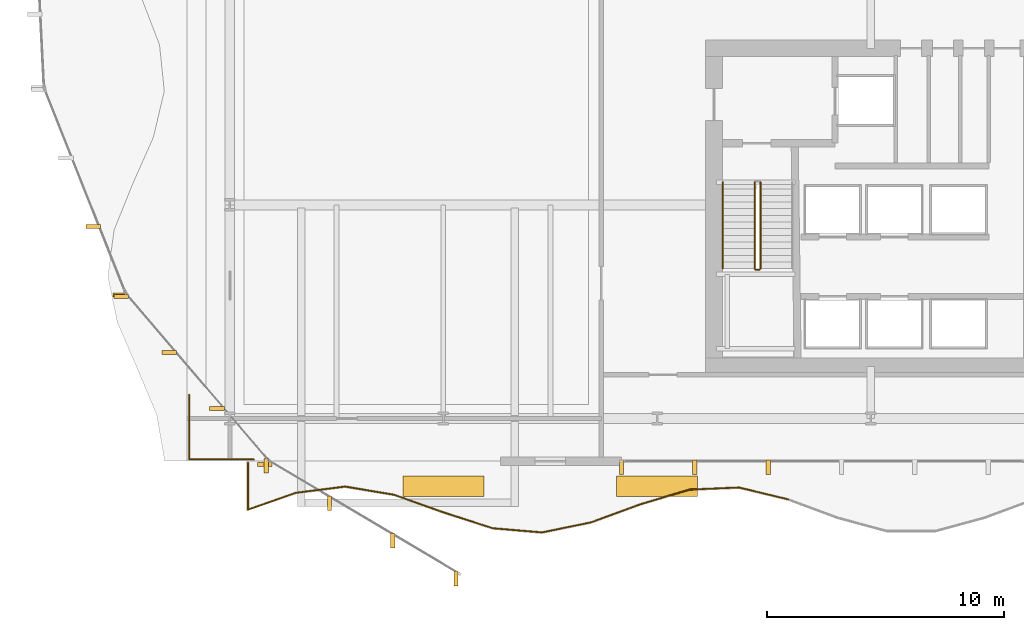
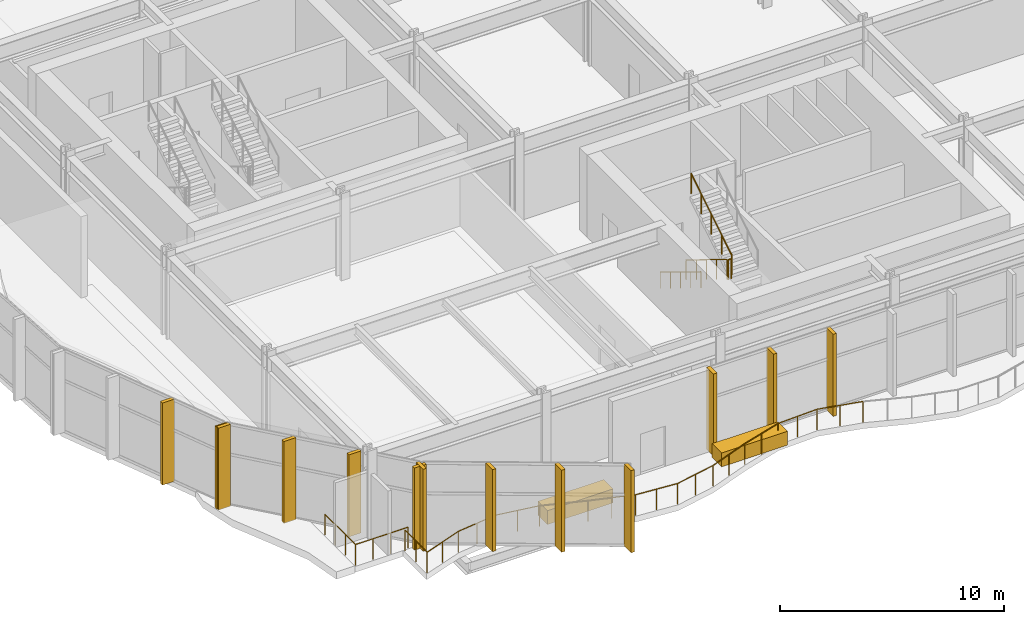
# One storey, part 23 of 29: 18 railings, 15 coverings.
"""IFC4 building model written with IfcOpenShell, lengths in metres."""

from ifc_helpers import new_model, si_unit, direction, frame, origin, origin_2d, place, context, subcontext, project, spatial, rectangle, circle, extrude, material, layer, layer_set, type_object, element, save


model = new_model("IFC4")

# Units and contexts
model_context = context("Model", 3, precision=1e-05, world=origin(), true_north=direction((0.0, 1.0)))
body_context = subcontext(model_context, "Body", "Model", "MODEL_VIEW")
ifc_project = project(units=[si_unit("LENGTHUNIT", "METRE"), si_unit("AREAUNIT", "SQUARE_METRE"), si_unit("VOLUMEUNIT", "CUBIC_METRE"), si_unit("PLANEANGLEUNIT", "RADIAN"), si_unit("MASSUNIT", "GRAM", prefix="KILO")], contexts=[model_context])

# Site, building, storey
site_placement = place(None, origin())
site = spatial("IfcSite", under=ifc_project, at=site_placement, CompositionType="ELEMENT")
building_placement = place(site_placement, origin())
building = spatial("IfcBuilding", under=site, at=building_placement, Name="Solvaryn Broadcast Tower", CompositionType="ELEMENT")
storey_placement = place(building_placement, frame((0.0, 0.0, 21.199951171875)))
storey = spatial("IfcBuildingStorey", under=building, at=storey_placement, Name="L04", CompositionType="ELEMENT", Elevation=21.199951171875)

# Coverings
ifc_material_1 = material(Name="Glazed Architectural Terracotta Rainscreen Cladding", Category="masonry")
ifc_layer_1 = layer(ifc_material_1, 0.280029296875)
ifc_layer_set_1 = layer_set([ifc_layer_1], Name="CV-TC-CLAD")
covering_type_1 = type_object("IfcCoveringType", Name="CV-TC-CLAD", PredefinedType="CLADDING", material=ifc_layer_set_1)
for number, where, z_axis, x_axis, name in (
    (1, (18.0, 6.14990234375, 0.0), (0.0, 0.0, 1.0), (1.0, 0.0, 0.0), "L04 Sky-Garden Planter Bed 1"),
    (2, (27.0, 6.14990234375, 0.0), (0.0, 0.0, 1.0), (1.0, 0.0, 0.0), "L04 Sky-Garden Planter Bed 2"),
):
    element("IfcCovering", number, at=place(storey_placement, frame(where, z_axis=z_axis, x_axis=x_axis)), inside=storey, type_object=covering_type_1, Name=name, PredefinedType="CLADDING", context=body_context, shape_type="SweptSolid", body=[
        extrude(rectangle(XDim=3.39990234375, YDim=0.85009765625, at=origin_2d()), origin(), (0.0, 0.0, 1.0), 0.760009765625),
    ])
ifc_material_2 = material(Name="Extruded Architectural Terracotta Fin", Category="masonry")
ifc_layer_2 = layer(ifc_material_2, 0.179931640625)
ifc_layer_set_2 = layer_set([ifc_layer_2], Name="CV-TC-FIN")
covering_type_2 = type_object("IfcCoveringType", Name="CV-TC-FIN", PredefinedType="USERDEFINED", material=ifc_layer_set_2)
for number, where, z_axis, x_axis, name in (
    (3, (31.681884765625, 6.949951171875, 0.0), (0.0, 0.0, 1.0), (1.0, 0.0, 0.0), "L04 Terracotta Vertical Fin FIN-POD-L04-S1-09"),
    (4, (28.5908203125, 6.949951171875, 0.0), (0.0, 0.0, 1.0), (1.0, 0.0, 0.0), "L04 Terracotta Vertical Fin FIN-POD-L04-S1-10"),
    (5, (25.5, 6.949951171875, 0.0), (0.0, 0.0, 1.0), (1.0, 0.0, 0.0), "L04 Terracotta Vertical Fin FIN-POD-L04-S1-11"),
):
    element("IfcCovering", number, at=place(storey_placement, frame(where, z_axis=z_axis, x_axis=x_axis)), inside=storey, type_object=covering_type_2, Name=name, ObjectType="FIN", PredefinedType="USERDEFINED", context=body_context, shape_type="SweptSolid", body=[
        extrude(rectangle(XDim=0.179931640625, YDim=0.6201171875, at=origin_2d()), origin(), (0.0, 0.0, 1.0), 4.47998046875),
    ])
for number, where, z_axis, x_axis, name in (
    (6, (3.239013671875, 17.09228515625, 0.0), (0.0, 0.0, 1.0), (1.0, 0.0, 0.0), "L04 Terracotta Vertical Fin FIN-POD-L04-DC2-02"),
    (7, (4.385009765625, 14.208984375, 0.0), (0.0, 0.0, 1.0), (1.0, 0.0, 0.0), "L04 Terracotta Vertical Fin FIN-POD-L04-DC2-03"),
    (8, (4.425048828125, 14.14208984375, 0.0), (0.0, 0.0, 1.0), (1.0, 0.0, 0.0), "L04 Terracotta Vertical Fin FIN-POD-L04-DC3-00"),
    (9, (6.439208984375, 11.7822265625, 0.0), (0.0, 0.0, 1.0), (1.0, 0.0, 0.0), "L04 Terracotta Vertical Fin FIN-POD-L04-DC3-01"),
    (10, (8.45361328125, 9.422607421875, 0.0), (0.0, 0.0, 1.0), (1.0, 0.0, 0.0), "L04 Terracotta Vertical Fin FIN-POD-L04-DC3-02"),
    (11, (10.468017578125, 7.06298828125, 0.0), (0.0, 0.0, 1.0), (1.0, 0.0, 0.0), "L04 Terracotta Vertical Fin FIN-POD-L04-DC3-03"),
):
    element("IfcCovering", number, at=place(storey_placement, frame(where, z_axis=z_axis, x_axis=x_axis)), inside=storey, type_object=covering_type_2, Name=name, ObjectType="FIN", PredefinedType="USERDEFINED", context=body_context, shape_type="SweptSolid", body=[
        extrude(rectangle(XDim=0.6201171875, YDim=0.179931640625, at=origin_2d()), origin(), (0.0, 0.0, 1.0), 4.47998046875),
    ])
for number, where, z_axis, x_axis, name in (
    (12, (10.528076171875, 7.012939453125, 0.0), (0.0, 0.0, 1.0), (1.0, 0.0, 0.0), "L04 Terracotta Vertical Fin FIN-POD-L04-DC4-00"),
    (13, (13.19580078125, 5.4287109375, 0.0), (0.0, 0.0, 1.0), (1.0, 0.0, 0.0), "L04 Terracotta Vertical Fin FIN-POD-L04-DC4-01"),
    (14, (15.86328125, 3.84423828125, 0.0), (0.0, 0.0, 1.0), (1.0, 0.0, 0.0), "L04 Terracotta Vertical Fin FIN-POD-L04-DC4-02"),
    (15, (18.531005859375, 2.260009765625, 0.0), (0.0, 0.0, 1.0), (1.0, 0.0, 0.0), "L04 Terracotta Vertical Fin FIN-POD-L04-DC4-03"),
):
    element("IfcCovering", number, at=place(storey_placement, frame(where, z_axis=z_axis, x_axis=x_axis)), inside=storey, type_object=covering_type_2, Name=name, ObjectType="FIN", PredefinedType="USERDEFINED", context=body_context, shape_type="SweptSolid", body=[
        extrude(rectangle(XDim=0.179931640625, YDim=0.6201171875, at=origin_2d()), origin(), (0.0, 0.0, 1.0), 4.47998046875),
    ])

# Railings
ifc_material_3 = material(Name="Painted Steel Stair Well Guard", Category="steel")
railing_type_1 = type_object("IfcRailingType", Name="RL-STAIR-GUARD", PredefinedType="BALUSTRADE", material=ifc_material_3)
railing_1_placement = place(storey_placement, frame((31.110107421875, 18.9599609375, 0.17138671875)))
element("IfcRailing", 16, at=railing_1_placement, inside=storey, type_object=railing_type_1, Name="L04 ST3 stair guard 1", PredefinedType="BALUSTRADE", context=body_context, shape_type="SweptSolid", body=[
    extrude(circle(Radius=0.02392578125, at=origin_2d()), frame((0.0, 0.0, 1.076171875), z_axis=(0.0, -0.852824790078, 0.522197163366), x_axis=(1.0, 0.0, 0.0)), (0.0, 0.0, 1.0), 4.26806640625),
    extrude(circle(Radius=0.02099609375, at=origin_2d()), origin(), (0.0, 0.0, 1.0), 1.052001953125),
    extrude(circle(Radius=0.02099609375, at=origin_2d()), frame((0.0, -0.909912109375, 0.55712890625)), (0.0, 0.0, 1.0), 1.052001953125),
    extrude(circle(Radius=0.02099609375, at=origin_2d()), frame((0.0, -1.81982421875, 1.1142578125)), (0.0, 0.0, 1.0), 1.052001953125),
    extrude(circle(Radius=0.02099609375, at=origin_2d()), frame((0.0, -2.72998046875, 1.671630859375)), (0.0, 0.0, 1.0), 1.052001953125),
    extrude(circle(Radius=0.02099609375, at=origin_2d()), frame((0.0, -3.639892578125, 2.228759765625)), (0.0, 0.0, 1.0), 1.052001953125),
])
railing_2_placement = place(storey_placement, frame((31.159912109375, 15.27001953125, 2.400146484375)))
element("IfcRailing", 17, at=railing_2_placement, inside=storey, type_object=railing_type_1, Name="L04 ST3 stair guard 2", PredefinedType="BALUSTRADE", context=body_context, shape_type="SweptSolid", body=[
    extrude(circle(Radius=0.02392578125, at=origin_2d()), frame((0.0, 0.0, 1.076171875), z_axis=(1.0, 0.0, 0.0), x_axis=(0.0, 1.0, 0.0)), (0.0, 0.0, 1.0), 0.150146484375),
    extrude(circle(Radius=0.02099609375, at=origin_2d()), origin(), (0.0, 0.0, 1.0), 1.052001953125),
    extrude(circle(Radius=0.02099609375, at=origin_2d()), frame((0.150146484375, 0.0, 0.0)), (0.0, 0.0, 1.0), 1.052001953125),
])
railing_3_placement = place(storey_placement, frame((31.360107421875, 15.320068359375, 2.571533203125)))
element("IfcRailing", 18, at=railing_3_placement, inside=storey, type_object=railing_type_1, Name="L04 ST3 stair guard 3", PredefinedType="BALUSTRADE", context=body_context, shape_type="SweptSolid", body=[
    extrude(circle(Radius=0.02392578125, at=origin_2d()), frame((0.0, 0.0, 1.076171875), z_axis=(0.0, 0.852850264322, 0.5221555579), x_axis=(-1.0, 0.0, 0.0)), (0.0, 0.0, 1.0), 4.267822265625),
    extrude(circle(Radius=0.02099609375, at=origin_2d()), origin(), (0.0, 0.0, 1.0), 1.052001953125),
    extrude(circle(Radius=0.02099609375, at=origin_2d()), frame((0.0, 0.909912109375, 0.55712890625)), (0.0, 0.0, 1.0), 1.052001953125),
    extrude(circle(Radius=0.02099609375, at=origin_2d()), frame((0.0, 1.81982421875, 1.1142578125)), (0.0, 0.0, 1.0), 1.052001953125),
    extrude(circle(Radius=0.02099609375, at=origin_2d()), frame((0.0, 2.72998046875, 1.67138671875)), (0.0, 0.0, 1.0), 1.052001953125),
    extrude(circle(Radius=0.02099609375, at=origin_2d()), frame((0.0, 3.639892578125, 2.228515625)), (0.0, 0.0, 1.0), 1.052001953125),
])
ifc_material_4 = material(Name="Brushed Stainless Steel Tubular Handrail", Category="steel")
railing_type_2 = type_object("IfcRailingType", Name="RL-STAIR-HANDRAIL", PredefinedType="HANDRAIL", material=ifc_material_4)
railing_4_placement = place(storey_placement, frame((29.77001953125, 18.9599609375, 0.17138671875)))
element("IfcRailing", 19, at=railing_4_placement, inside=storey, type_object=railing_type_2, Name="L04 ST3 stair handrail 1", PredefinedType="HANDRAIL", context=body_context, shape_type="SweptSolid", body=[
    extrude(circle(Radius=0.02392578125, at=origin_2d()), frame((0.0, 0.0, 0.8759765625), z_axis=(0.0, -0.852824790078, 0.522197163366), x_axis=(1.0, 0.0, 0.0)), (0.0, 0.0, 1.0), 4.26806640625),
    extrude(circle(Radius=0.02099609375, at=origin_2d()), origin(), (0.0, 0.0, 1.0), 0.851806640625),
    extrude(circle(Radius=0.02099609375, at=origin_2d()), frame((0.0, -0.909912109375, 0.55712890625)), (0.0, 0.0, 1.0), 0.851806640625),
    extrude(circle(Radius=0.02099609375, at=origin_2d()), frame((0.0, -1.81982421875, 1.1142578125)), (0.0, 0.0, 1.0), 0.851806640625),
    extrude(circle(Radius=0.02099609375, at=origin_2d()), frame((0.0, -2.72998046875, 1.671630859375)), (0.0, 0.0, 1.0), 0.851806640625),
    extrude(circle(Radius=0.02099609375, at=origin_2d()), frame((0.0, -3.639892578125, 2.228759765625)), (0.0, 0.0, 1.0), 0.851806640625),
])
ifc_material_5 = material(Name="Stainless Steel and Laminated Glass Guard", Category="steel")
railing_type_3 = type_object("IfcRailingType", Name="RL-TER-1150", PredefinedType="BALUSTRADE", material=ifc_material_5)
railing_5_placement = place(storey_placement, frame((7.280029296875, 10.0, 0.0)))
element("IfcRailing", 20, at=railing_5_placement, inside=storey, type_object=railing_type_3, Name="L04 Podium SW Corner Balustrade 1", PredefinedType="BALUSTRADE", context=body_context, shape_type="SweptSolid", body=[
    extrude(circle(Radius=0.02392578125, at=origin_2d()), frame((0.0, 0.0, 1.1259765625), z_axis=(0.0, -1.0, 0.0), x_axis=(1.0, 0.0, 0.0)), (0.0, 0.0, 1.0), 2.719970703125),
    extrude(circle(Radius=0.02099609375, at=origin_2d()), origin(), (0.0, 0.0, 1.0), 1.101806640625),
    extrude(circle(Radius=0.02099609375, at=origin_2d()), frame((0.0, -0.90673828125, 0.0)), (0.0, 0.0, 1.0), 1.101806640625),
    extrude(circle(Radius=0.02099609375, at=origin_2d()), frame((0.0, -1.813232421875, 0.0)), (0.0, 0.0, 1.0), 1.101806640625),
    extrude(circle(Radius=0.02099609375, at=origin_2d()), frame((0.0, -2.719970703125, 0.0)), (0.0, 0.0, 1.0), 1.101806640625),
])
railing_6_placement = place(storey_placement, frame((7.280029296875, 7.280029296875, 0.0)))
element("IfcRailing", 21, at=railing_6_placement, inside=storey, type_object=railing_type_3, Name="L04 Podium SW Corner Balustrade 2", PredefinedType="BALUSTRADE", context=body_context, shape_type="SweptSolid", body=[
    extrude(circle(Radius=0.02392578125, at=origin_2d()), frame((0.0, 0.0, 1.1259765625), z_axis=(1.0, 0.0, 0.0), x_axis=(0.0, 1.0, 0.0)), (0.0, 0.0, 1.0), 2.719970703125),
    extrude(circle(Radius=0.02099609375, at=origin_2d()), origin(), (0.0, 0.0, 1.0), 1.101806640625),
    extrude(circle(Radius=0.02099609375, at=origin_2d()), frame((0.90673828125, 0.0, 0.0)), (0.0, 0.0, 1.0), 1.101806640625),
    extrude(circle(Radius=0.02099609375, at=origin_2d()), frame((1.813232421875, 0.0, 0.0)), (0.0, 0.0, 1.0), 1.101806640625),
    extrude(circle(Radius=0.02099609375, at=origin_2d()), frame((2.719970703125, 0.0, 0.0)), (0.0, 0.0, 1.0), 1.101806640625),
])
railing_7_placement = place(storey_placement, frame((9.760009765625, 7.139892578125, 0.0)))
element("IfcRailing", 22, at=railing_7_placement, inside=storey, type_object=railing_type_3, Name="L04 Terrace Guard TS04S-1", PredefinedType="BALUSTRADE", context=body_context, shape_type="SweptSolid", body=[
    extrude(circle(Radius=0.02392578125, at=origin_2d()), frame((0.0, 0.0, 1.1259765625), z_axis=(0.0, -1.0, 0.0), x_axis=(1.0, 0.0, 0.0)), (0.0, 0.0, 1.0), 1.97998046875),
    extrude(circle(Radius=0.02099609375, at=origin_2d()), origin(), (0.0, 0.0, 1.0), 1.101806640625),
    extrude(circle(Radius=0.02099609375, at=origin_2d()), frame((0.0, -0.989990234375, 0.0)), (0.0, 0.0, 1.0), 1.101806640625),
    extrude(circle(Radius=0.02099609375, at=origin_2d()), frame((0.0, -1.97998046875, 0.0)), (0.0, 0.0, 1.0), 1.101806640625),
])
railing_8_placement = place(storey_placement, frame((9.760009765625, 5.159912109375, 0.0)))
element("IfcRailing", 23, at=railing_8_placement, inside=storey, type_object=railing_type_3, Name="L04 Terrace Guard TS04S-2", PredefinedType="BALUSTRADE", context=body_context, shape_type="SweptSolid", body=[
    extrude(circle(Radius=0.02392578125, at=origin_2d()), frame((0.0, 0.0, 1.1259765625), z_axis=(0.943234834883, 0.332126551578, 0.0), x_axis=(-0.332126551578, 0.943234834883, 0.0)), (0.0, 0.0, 1.0), 2.13623046875),
    extrude(circle(Radius=0.02099609375, at=origin_2d()), origin(), (0.0, 0.0, 1.0), 1.101806640625),
    extrude(circle(Radius=0.02099609375, at=origin_2d()), frame((1.00732421875, 0.354736328125, 0.0)), (0.0, 0.0, 1.0), 1.101806640625),
    extrude(circle(Radius=0.02099609375, at=origin_2d()), frame((2.014892578125, 0.70947265625, 0.0)), (0.0, 0.0, 1.0), 1.101806640625),
])
railing_9_placement = place(storey_placement, frame((11.77490234375, 5.869384765625, 0.0)))
element("IfcRailing", 24, at=railing_9_placement, inside=storey, type_object=railing_type_3, Name="L04 Terrace Guard TS04S-3", PredefinedType="BALUSTRADE", context=body_context, shape_type="SweptSolid", body=[
    extrude(circle(Radius=0.02392578125, at=origin_2d()), frame((0.0, 0.0, 1.1259765625), z_axis=(0.992009866518, 0.126160313612, 0.0), x_axis=(-0.126160313612, 0.992009866518, 0.0)), (0.0, 0.0, 1.0), 2.091796875),
    extrude(circle(Radius=0.02099609375, at=origin_2d()), origin(), (0.0, 0.0, 1.0), 1.101806640625),
    extrude(circle(Radius=0.02099609375, at=origin_2d()), frame((1.03759765625, 0.1318359375, 0.0)), (0.0, 0.0, 1.0), 1.101806640625),
    extrude(circle(Radius=0.02099609375, at=origin_2d()), frame((2.0751953125, 0.263916015625, 0.0)), (0.0, 0.0, 1.0), 1.101806640625),
])
railing_10_placement = place(storey_placement, frame((13.85009765625, 6.13330078125, 0.0)))
element("IfcRailing", 25, at=railing_10_placement, inside=storey, type_object=railing_type_3, Name="L04 Terrace Guard TS04S-4", PredefinedType="BALUSTRADE", context=body_context, shape_type="SweptSolid", body=[
    extrude(circle(Radius=0.02392578125, at=origin_2d()), frame((0.0, 0.0, 1.1259765625), z_axis=(0.986271332498, -0.165132851647, 0.0), x_axis=(0.165132851647, 0.986271332498, 0.0)), (0.0, 0.0, 1.0), 2.103759765625),
    extrude(circle(Radius=0.02099609375, at=origin_2d()), origin(), (0.0, 0.0, 1.0), 1.101806640625),
    extrude(circle(Radius=0.02099609375, at=origin_2d()), frame((1.03759765625, -0.173828125, 0.0)), (0.0, 0.0, 1.0), 1.101806640625),
    extrude(circle(Radius=0.02099609375, at=origin_2d()), frame((2.074951171875, -0.347412109375, 0.0)), (0.0, 0.0, 1.0), 1.101806640625),
])
railing_11_placement = place(storey_placement, frame((15.925048828125, 5.785888671875, 0.0)))
element("IfcRailing", 26, at=railing_11_placement, inside=storey, type_object=railing_type_3, Name="L04 Terrace Guard TS04S-5", PredefinedType="BALUSTRADE", context=body_context, shape_type="SweptSolid", body=[
    extrude(circle(Radius=0.02392578125, at=origin_2d()), frame((0.0, 0.0, 1.1259765625), z_axis=(0.94182461898, -0.336104726364, 0.0), x_axis=(0.336104726364, 0.94182461898, 0.0)), (0.0, 0.0, 1.0), 2.203125),
    extrude(circle(Radius=0.02099609375, at=origin_2d()), origin(), (0.0, 0.0, 1.0), 1.101806640625),
    extrude(circle(Radius=0.02099609375, at=origin_2d()), frame((1.03759765625, -0.3701171875, 0.0)), (0.0, 0.0, 1.0), 1.101806640625),
    extrude(circle(Radius=0.02099609375, at=origin_2d()), frame((2.074951171875, -0.740478515625, 0.0)), (0.0, 0.0, 1.0), 1.101806640625),
])
railing_12_placement = place(storey_placement, frame((18.0, 5.04541015625, 0.0)))
element("IfcRailing", 27, at=railing_12_placement, inside=storey, type_object=railing_type_3, Name="L04 Terrace Guard TS04S-6", PredefinedType="BALUSTRADE", context=body_context, shape_type="SweptSolid", body=[
    extrude(circle(Radius=0.02392578125, at=origin_2d()), frame((0.0, 0.0, 1.1259765625), z_axis=(0.951826767679, -0.306636273668, 0.0), x_axis=(0.306636273668, 0.951826767679, 0.0)), (0.0, 0.0, 1.0), 2.179931640625),
    extrude(circle(Radius=0.02099609375, at=origin_2d()), origin(), (0.0, 0.0, 1.0), 1.101806640625),
    extrude(circle(Radius=0.02099609375, at=origin_2d()), frame((1.03759765625, -0.334228515625, 0.0)), (0.0, 0.0, 1.0), 1.101806640625),
    extrude(circle(Radius=0.02099609375, at=origin_2d()), frame((2.074951171875, -0.66845703125, 0.0)), (0.0, 0.0, 1.0), 1.101806640625),
])
railing_13_placement = place(storey_placement, frame((20.074951171875, 4.376953125, 0.0)))
element("IfcRailing", 28, at=railing_13_placement, inside=storey, type_object=railing_type_3, Name="L04 Terrace Guard TS04S-7", PredefinedType="BALUSTRADE", context=body_context, shape_type="SweptSolid", body=[
    extrude(circle(Radius=0.02392578125, at=origin_2d()), frame((0.0, 0.0, 1.1259765625), z_axis=(0.996391259675, -0.084879076598, 0.0), x_axis=(0.084879076598, 0.996391259675, 0.0)), (0.0, 0.0, 1.0), 2.08251953125),
    extrude(circle(Radius=0.02099609375, at=origin_2d()), origin(), (0.0, 0.0, 1.0), 1.101806640625),
    extrude(circle(Radius=0.02099609375, at=origin_2d()), frame((1.03759765625, -0.08837890625, 0.0)), (0.0, 0.0, 1.0), 1.101806640625),
    extrude(circle(Radius=0.02099609375, at=origin_2d()), frame((2.074951171875, -0.1767578125, 0.0)), (0.0, 0.0, 1.0), 1.101806640625),
])
railing_14_placement = place(storey_placement, frame((22.14990234375, 4.2001953125, 0.0)))
element("IfcRailing", 29, at=railing_14_placement, inside=storey, type_object=railing_type_3, Name="L04 Terrace Guard TS04S-8", PredefinedType="BALUSTRADE", context=body_context, shape_type="SweptSolid", body=[
    extrude(circle(Radius=0.02392578125, at=origin_2d()), frame((0.0, 0.0, 1.1259765625), z_axis=(0.979570696309, 0.201100101772, 0.0), x_axis=(-0.201100101772, 0.979570696309, 0.0)), (0.0, 0.0, 1.0), 2.118408203125),
    extrude(circle(Radius=0.02099609375, at=origin_2d()), origin(), (0.0, 0.0, 1.0), 1.101806640625),
    extrude(circle(Radius=0.02099609375, at=origin_2d()), frame((1.03759765625, 0.212890625, 0.0)), (0.0, 0.0, 1.0), 1.101806640625),
    extrude(circle(Radius=0.02099609375, at=origin_2d()), frame((2.0751953125, 0.426025390625, 0.0)), (0.0, 0.0, 1.0), 1.101806640625),
])
railing_15_placement = place(storey_placement, frame((24.22509765625, 4.626220703125, 0.0)))
element("IfcRailing", 30, at=railing_15_placement, inside=storey, type_object=railing_type_3, Name="L04 Terrace Guard TS04S-9", PredefinedType="BALUSTRADE", context=body_context, shape_type="SweptSolid", body=[
    extrude(circle(Radius=0.02392578125, at=origin_2d()), frame((0.0, 0.0, 1.1259765625), z_axis=(0.938779885546, 0.344517527123, 0.0), x_axis=(-0.344517527123, 0.938779885546, 0.0)), (0.0, 0.0, 1.0), 2.210205078125),
    extrude(circle(Radius=0.02099609375, at=origin_2d()), origin(), (0.0, 0.0, 1.0), 1.101806640625),
    extrude(circle(Radius=0.02099609375, at=origin_2d()), frame((1.03759765625, 0.380859375, 0.0)), (0.0, 0.0, 1.0), 1.101806640625),
    extrude(circle(Radius=0.02099609375, at=origin_2d()), frame((2.074951171875, 0.761474609375, 0.0)), (0.0, 0.0, 1.0), 1.101806640625),
])
railing_16_placement = place(storey_placement, frame((26.300048828125, 5.3876953125, 0.0)))
element("IfcRailing", 31, at=railing_16_placement, inside=storey, type_object=railing_type_3, Name="L04 Terrace Guard TS04S-10", PredefinedType="BALUSTRADE", context=body_context, shape_type="SweptSolid", body=[
    extrude(circle(Radius=0.02392578125, at=origin_2d()), frame((0.0, 0.0, 1.1259765625), z_axis=(0.958343007125, 0.285619818455, 0.0), x_axis=(-0.285619818455, 0.958343007125, 0.0)), (0.0, 0.0, 1.0), 2.1650390625),
    extrude(circle(Radius=0.02099609375, at=origin_2d()), origin(), (0.0, 0.0, 1.0), 1.101806640625),
    extrude(circle(Radius=0.02099609375, at=origin_2d()), frame((1.03759765625, 0.30908203125, 0.0)), (0.0, 0.0, 1.0), 1.101806640625),
    extrude(circle(Radius=0.02099609375, at=origin_2d()), frame((2.074951171875, 0.618408203125, 0.0)), (0.0, 0.0, 1.0), 1.101806640625),
])
railing_17_placement = place(storey_placement, frame((28.375, 6.006103515625, 0.0)))
element("IfcRailing", 32, at=railing_17_placement, inside=storey, type_object=railing_type_3, Name="L04 Terrace Guard TS04S-11", PredefinedType="BALUSTRADE", context=body_context, shape_type="SweptSolid", body=[
    extrude(circle(Radius=0.02392578125, at=origin_2d()), frame((0.0, 0.0, 1.1259765625), z_axis=(0.999123880576, 0.041850582596, 0.0), x_axis=(-0.041850582596, 0.999123880576, 0.0)), (0.0, 0.0, 1.0), 2.07666015625),
    extrude(circle(Radius=0.02099609375, at=origin_2d()), origin(), (0.0, 0.0, 1.0), 1.101806640625),
    extrude(circle(Radius=0.02099609375, at=origin_2d()), frame((1.03759765625, 0.04345703125, 0.0)), (0.0, 0.0, 1.0), 1.101806640625),
    extrude(circle(Radius=0.02099609375, at=origin_2d()), frame((2.074951171875, 0.0869140625, 0.0)), (0.0, 0.0, 1.0), 1.101806640625),
])
railing_18_placement = place(storey_placement, frame((30.449951171875, 6.093017578125, 0.0)))
element("IfcRailing", 33, at=railing_18_placement, inside=storey, type_object=railing_type_3, Name="L04 Terrace Guard TS04S-12", PredefinedType="BALUSTRADE", context=body_context, shape_type="SweptSolid", body=[
    extrude(circle(Radius=0.02392578125, at=origin_2d()), frame((0.0, 0.0, 1.1259765625), z_axis=(0.972277121559, -0.233831560944, 0.0), x_axis=(0.233831560944, 0.972277121559, 0.0)), (0.0, 0.0, 1.0), 2.134033203125),
    extrude(circle(Radius=0.02099609375, at=origin_2d()), origin(), (0.0, 0.0, 1.0), 1.101806640625),
    extrude(circle(Radius=0.02099609375, at=origin_2d()), frame((1.03759765625, -0.24951171875, 0.0)), (0.0, 0.0, 1.0), 1.101806640625),
    extrude(circle(Radius=0.02099609375, at=origin_2d()), frame((2.074951171875, -0.4990234375, 0.0)), (0.0, 0.0, 1.0), 1.101806640625),
])

save(model, "model.ifc")
